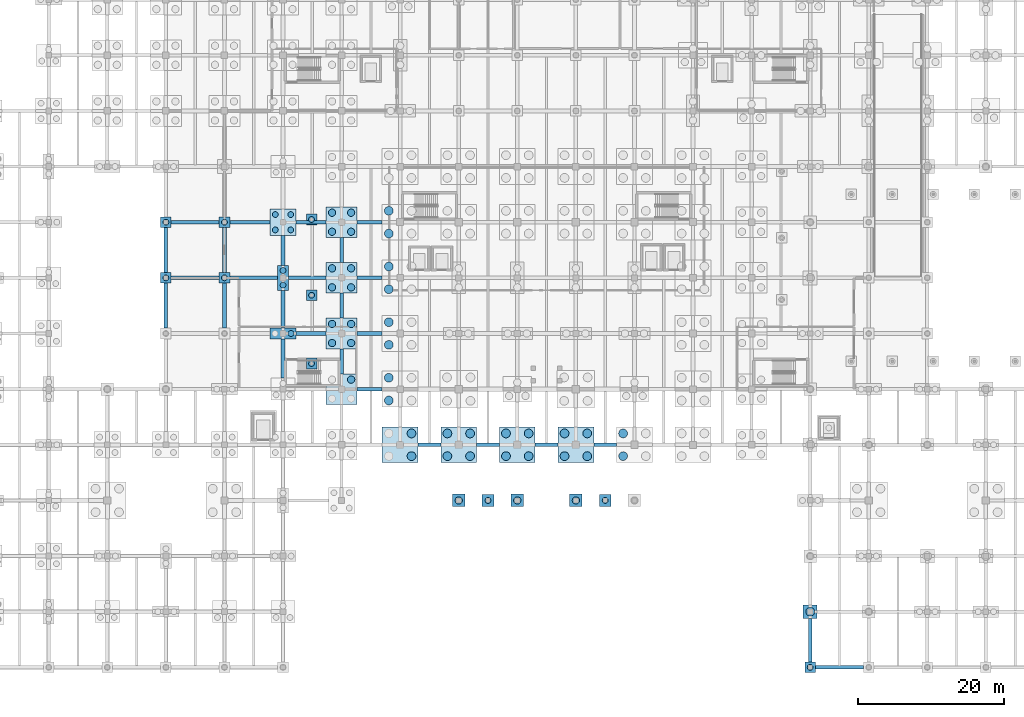
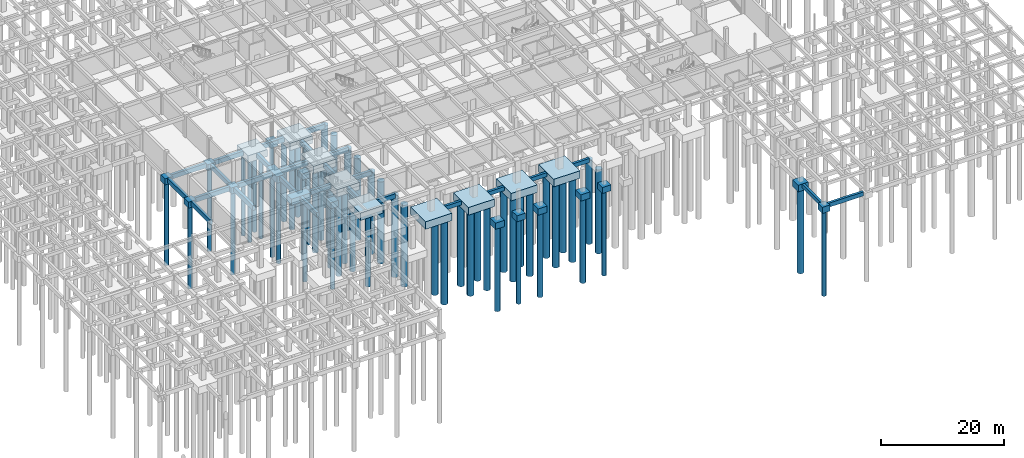
# One storey, part 4 of 49: 58 piles, 52 footings.
"""IFC4 building model written with IfcOpenShell, lengths in metres."""

from ifc_helpers import new_model, si_unit, direction, frame, origin, origin_2d, place, context, subcontext, project, spatial, rectangle, circle, extrude, material, layer, layer_set, material_profile, profile_set, type_object, element, save


model = new_model("IFC4")

# Units and contexts
model_context = context("Model", 3, precision=1e-05, world=origin(), true_north=direction((0.0, 1.0)))
body_context = subcontext(model_context, "Body", "Model", "MODEL_VIEW")
ifc_project = project(units=[si_unit("LENGTHUNIT", "METRE"), si_unit("AREAUNIT", "SQUARE_METRE"), si_unit("VOLUMEUNIT", "CUBIC_METRE"), si_unit("PLANEANGLEUNIT", "RADIAN"), si_unit("MASSUNIT", "GRAM", prefix="KILO")], contexts=[model_context])

# Site, building, storey
site_placement = place(None, origin())
site = spatial("IfcSite", under=ifc_project, at=site_placement, CompositionType="ELEMENT")
building_placement = place(site_placement, origin())
building = spatial("IfcBuilding", under=site, at=building_placement, Name="Zantavel Square City Hall", CompositionType="ELEMENT")
storey_placement = place(building_placement, frame((0.0, 0.0, -4.5)))
storey = spatial("IfcBuildingStorey", under=building, at=storey_placement, Name="B1", CompositionType="ELEMENT", Elevation=-4.5)

# Piles
ifc_material_1 = material(Name="Concrete C35/45", Category="concrete")
ifc_material_profile_1 = material_profile(ifc_material_1, circle(Radius=0.5, at=origin_2d()), Name="PILE D1000")
ifc_profile_set_1 = profile_set([ifc_material_profile_1], Name="Concrete C35/45")
pile_type_1 = type_object("IfcPileType", Name="Bored Pile D1000 Concrete C35/45", PredefinedType="BORED", material=ifc_profile_set_1)
for number, where, z_axis, x_axis, name in (
    (1, (57.300048828125, 39.300048828125, -1.800048828125), (0.0, 0.0, -1.0), (1.0, 0.0, 0.0), "Bored Pile FDN-PL-0560-0380-4"),
    (2, (54.699951171875, 44.300048828125, -1.800048828125), (0.0, 0.0, -1.0), (1.0, 0.0, 0.0), "Bored Pile FDN-PL-0560-0456-1"),
    (3, (57.300048828125, 44.300048828125, -1.800048828125), (0.0, 0.0, -1.0), (1.0, 0.0, 0.0), "Bored Pile FDN-PL-0560-0456-2"),
    (4, (54.699951171875, 46.89990234375, -1.800048828125), (0.0, 0.0, -1.0), (1.0, 0.0, 0.0), "Bored Pile FDN-PL-0560-0456-3"),
    (5, (57.300048828125, 46.89990234375, -1.800048828125), (0.0, 0.0, -1.0), (1.0, 0.0, 0.0), "Bored Pile FDN-PL-0560-0456-4"),
    (6, (54.699951171875, 51.89990234375, -1.800048828125), (0.0, 0.0, -1.0), (1.0, 0.0, 0.0), "Bored Pile FDN-PL-0560-0532-1"),
    (7, (57.300048828125, 51.89990234375, -1.800048828125), (0.0, 0.0, -1.0), (1.0, 0.0, 0.0), "Bored Pile FDN-PL-0560-0532-2"),
    (8, (54.699951171875, 54.5, -1.800048828125), (0.0, 0.0, -1.0), (1.0, 0.0, 0.0), "Bored Pile FDN-PL-0560-0532-3"),
    (9, (57.300048828125, 54.5, -1.800048828125), (0.0, 0.0, -1.0), (1.0, 0.0, 0.0), "Bored Pile FDN-PL-0560-0532-4"),
    (10, (54.699951171875, 59.5, -1.800048828125), (0.0, 0.0, -1.0), (1.0, 0.0, 0.0), "Bored Pile FDN-PL-0560-0608-1"),
    (11, (57.300048828125, 59.5, -1.800048828125), (0.0, 0.0, -1.0), (1.0, 0.0, 0.0), "Bored Pile FDN-PL-0560-0608-2"),
    (12, (54.699951171875, 62.10009765625, -1.800048828125), (0.0, 0.0, -1.0), (1.0, 0.0, 0.0), "Bored Pile FDN-PL-0560-0608-3"),
    (13, (57.300048828125, 62.10009765625, -1.800048828125), (0.0, 0.0, -1.0), (1.0, 0.0, 0.0), "Bored Pile FDN-PL-0560-0608-4"),
):
    element("IfcPile", number, at=place(storey_placement, frame(where, z_axis=z_axis, x_axis=x_axis)), inside=storey, type_object=pile_type_1, Name=name, PredefinedType="BORED", context=body_context, shape_type="SweptSolid", body=[
        extrude(circle(Radius=0.5, at=origin_2d()), origin(), (0.0, 0.0, 1.0), 16.199951171875),
    ])
for number, where, z_axis, x_axis, name in (
    (14, (72.0, 22.800048828125, -1.14990234375), (0.0, 0.0, -1.0), (1.0, 0.0, 0.0), "Canopy Bored Pile 72"),
    (15, (80.0, 22.800048828125, -1.14990234375), (0.0, 0.0, -1.0), (1.0, 0.0, 0.0), "Canopy Bored Pile 80"),
    (16, (88.0, 22.800048828125, -1.14990234375), (0.0, 0.0, -1.0), (1.0, 0.0, 0.0), "Canopy Bored Pile 88"),
):
    element("IfcPile", number, at=place(storey_placement, frame(where, z_axis=z_axis, x_axis=x_axis)), inside=storey, type_object=pile_type_1, Name=name, PredefinedType="BORED", context=body_context, shape_type="SweptSolid", body=[
        extrude(circle(Radius=0.5, at=origin_2d()), origin(), (0.0, 0.0, 1.0), 16.85009765625),
    ])
ifc_material_profile_2 = material_profile(ifc_material_1, circle(Radius=0.60009765625, at=origin_2d()), Name="PILE D1200")
ifc_profile_set_2 = profile_set([ifc_material_profile_2], Name="Concrete C35/45")
pile_type_2 = type_object("IfcPileType", Name="Bored Pile D1200 Concrete C35/45", PredefinedType="BORED", material=ifc_profile_set_2)
for number, where, z_axis, x_axis, name in (
    (17, (65.550048828125, 28.85009765625, -1.39990234375), (0.0, 0.0, -1.0), (1.0, 0.0, 0.0), "Bored Pile FDN-PL-0640-0304-2"),
    (18, (65.550048828125, 31.949951171875, -1.39990234375), (0.0, 0.0, -1.0), (1.0, 0.0, 0.0), "Bored Pile FDN-PL-0640-0304-4"),
):
    element("IfcPile", number, at=place(storey_placement, frame(where, z_axis=z_axis, x_axis=x_axis)), inside=storey, type_object=pile_type_2, Name=name, PredefinedType="BORED", context=body_context, shape_type="SweptSolid", body=[
        extrude(circle(Radius=0.60009765625, at=origin_2d()), origin(), (0.0, 0.0, 1.0), 16.60009765625),
    ])
for number, where, z_axis, x_axis, name in (
    (19, (62.449951171875, 36.449951171875, -1.800048828125), (0.0, 0.0, -1.0), (1.0, 0.0, 0.0), "Bored Pile FDN-PL-0640-0380-1"),
    (20, (62.449951171875, 39.550048828125, -1.800048828125), (0.0, 0.0, -1.0), (1.0, 0.0, 0.0), "Bored Pile FDN-PL-0640-0380-3"),
    (21, (62.449951171875, 44.050048828125, -1.800048828125), (0.0, 0.0, -1.0), (1.0, 0.0, 0.0), "Bored Pile FDN-PL-0640-0456-1"),
    (22, (62.449951171875, 47.14990234375, -1.800048828125), (0.0, 0.0, -1.0), (1.0, 0.0, 0.0), "Bored Pile FDN-PL-0640-0456-3"),
    (23, (62.449951171875, 51.64990234375, -1.800048828125), (0.0, 0.0, -1.0), (1.0, 0.0, 0.0), "Bored Pile FDN-PL-0640-0532-1"),
    (24, (62.449951171875, 54.75, -1.800048828125), (0.0, 0.0, -1.0), (1.0, 0.0, 0.0), "Bored Pile FDN-PL-0640-0532-3"),
    (25, (62.449951171875, 59.25, -1.800048828125), (0.0, 0.0, -1.0), (1.0, 0.0, 0.0), "Bored Pile FDN-PL-0640-0608-1"),
    (26, (62.449951171875, 62.35009765625, -1.800048828125), (0.0, 0.0, -1.0), (1.0, 0.0, 0.0), "Bored Pile FDN-PL-0640-0608-3"),
):
    element("IfcPile", number, at=place(storey_placement, frame(where, z_axis=z_axis, x_axis=x_axis)), inside=storey, type_object=pile_type_2, Name=name, PredefinedType="BORED", context=body_context, shape_type="SweptSolid", body=[
        extrude(circle(Radius=0.60009765625, at=origin_2d()), origin(), (0.0, 0.0, 1.0), 16.199951171875),
    ])
for number, where, z_axis, x_axis, name in (
    (27, (70.449951171875, 28.85009765625, -1.39990234375), (0.0, 0.0, -1.0), (1.0, 0.0, 0.0), "Bored Pile FDN-PL-0720-0304-1"),
    (28, (73.550048828125, 28.85009765625, -1.39990234375), (0.0, 0.0, -1.0), (1.0, 0.0, 0.0), "Bored Pile FDN-PL-0720-0304-2"),
    (29, (70.449951171875, 31.949951171875, -1.39990234375), (0.0, 0.0, -1.0), (1.0, 0.0, 0.0), "Bored Pile FDN-PL-0720-0304-3"),
    (30, (73.550048828125, 31.949951171875, -1.39990234375), (0.0, 0.0, -1.0), (1.0, 0.0, 0.0), "Bored Pile FDN-PL-0720-0304-4"),
    (31, (78.449951171875, 28.85009765625, -1.39990234375), (0.0, 0.0, -1.0), (1.0, 0.0, 0.0), "Bored Pile FDN-PL-0800-0304-1"),
    (32, (81.550048828125, 28.85009765625, -1.39990234375), (0.0, 0.0, -1.0), (1.0, 0.0, 0.0), "Bored Pile FDN-PL-0800-0304-2"),
    (33, (78.449951171875, 31.949951171875, -1.39990234375), (0.0, 0.0, -1.0), (1.0, 0.0, 0.0), "Bored Pile FDN-PL-0800-0304-3"),
    (34, (81.550048828125, 31.949951171875, -1.39990234375), (0.0, 0.0, -1.0), (1.0, 0.0, 0.0), "Bored Pile FDN-PL-0800-0304-4"),
    (35, (86.449951171875, 28.85009765625, -1.39990234375), (0.0, 0.0, -1.0), (1.0, 0.0, 0.0), "Bored Pile FDN-PL-0880-0304-1"),
    (36, (89.550048828125, 28.85009765625, -1.39990234375), (0.0, 0.0, -1.0), (1.0, 0.0, 0.0), "Bored Pile FDN-PL-0880-0304-2"),
    (37, (86.449951171875, 31.949951171875, -1.39990234375), (0.0, 0.0, -1.0), (1.0, 0.0, 0.0), "Bored Pile FDN-PL-0880-0304-3"),
    (38, (89.550048828125, 31.949951171875, -1.39990234375), (0.0, 0.0, -1.0), (1.0, 0.0, 0.0), "Bored Pile FDN-PL-0880-0304-4"),
    (39, (94.449951171875, 28.85009765625, -1.39990234375), (0.0, 0.0, -1.0), (1.0, 0.0, 0.0), "Bored Pile FDN-PL-0960-0304-1"),
    (40, (94.449951171875, 31.949951171875, -1.39990234375), (0.0, 0.0, -1.0), (1.0, 0.0, 0.0), "Bored Pile FDN-PL-0960-0304-3"),
):
    element("IfcPile", number, at=place(storey_placement, frame(where, z_axis=z_axis, x_axis=x_axis)), inside=storey, type_object=pile_type_2, Name=name, PredefinedType="BORED", context=body_context, shape_type="SweptSolid", body=[
        extrude(circle(Radius=0.60009765625, at=origin_2d()), origin(), (0.0, 0.0, 1.0), 16.60009765625),
    ])
pile_1_placement = place(storey_placement, frame((120.0, 7.60009765625, -1.199951171875), z_axis=(0.0, 0.0, -1.0), x_axis=(1.0, 0.0, 0.0)))
element("IfcPile", 41, at=pile_1_placement, inside=storey, type_object=pile_type_2, Name="Bored Pile FDN-PL-1200-0076-1", PredefinedType="BORED", context=body_context, shape_type="SweptSolid", body=[
    extrude(circle(Radius=0.60009765625, at=origin_2d()), origin(), (0.0, 0.0, 1.0), 16.800048828125),
])
ifc_material_profile_3 = material_profile(ifc_material_1, circle(Radius=0.39990234375, at=origin_2d()), Name="PILE D800")
ifc_profile_set_3 = profile_set([ifc_material_profile_3], Name="Concrete C35/45")
pile_type_3 = type_object("IfcPileType", Name="Bored Pile D800 Concrete C35/45", PredefinedType="BORED", material=ifc_profile_set_3)
for number, where, z_axis, x_axis, name in (
    (42, (32.0, 53.199951171875, -1.5), (0.0, 0.0, -1.0), (1.0, 0.0, 0.0), "Bored Pile FDN-PL-0320-0532-1"),
    (43, (32.0, 60.800048828125, -1.5), (0.0, 0.0, -1.0), (1.0, 0.0, 0.0), "Bored Pile FDN-PL-0320-0608-1"),
    (44, (40.0, 53.199951171875, -1.5), (0.0, 0.0, -1.0), (1.0, 0.0, 0.0), "Bored Pile FDN-PL-0400-0532-1"),
    (45, (40.0, 60.800048828125, -1.5), (0.0, 0.0, -1.0), (1.0, 0.0, 0.0), "Bored Pile FDN-PL-0400-0608-1"),
):
    element("IfcPile", number, at=place(storey_placement, frame(where, z_axis=z_axis, x_axis=x_axis)), inside=storey, type_object=pile_type_3, Name=name, PredefinedType="BORED", context=body_context, shape_type="SweptSolid", body=[
        extrude(circle(Radius=0.39990234375, at=origin_2d()), origin(), (0.0, 0.0, 1.0), 16.5),
    ])
for number, where, z_axis, x_axis, name in (
    (46, (49.10009765625, 45.60009765625, -1.60009765625), (0.0, 0.0, -1.0), (1.0, 0.0, 0.0), "Bored Pile FDN-PL-0480-0456-2"),
    (47, (48.0, 52.199951171875, -1.60009765625), (0.0, 0.0, -1.0), (1.0, 0.0, 0.0), "Bored Pile FDN-PL-0480-0532-1"),
    (48, (48.0, 54.199951171875, -1.60009765625), (0.0, 0.0, -1.0), (1.0, 0.0, 0.0), "Bored Pile FDN-PL-0480-0532-2"),
):
    element("IfcPile", number, at=place(storey_placement, frame(where, z_axis=z_axis, x_axis=x_axis)), inside=storey, type_object=pile_type_3, Name=name, PredefinedType="BORED", context=body_context, shape_type="SweptSolid", body=[
        extrude(circle(Radius=0.39990234375, at=origin_2d()), origin(), (0.0, 0.0, 1.0), 16.39990234375),
    ])
for number, where, z_axis, x_axis, name in (
    (49, (46.949951171875, 59.75, -1.699951171875), (0.0, 0.0, -1.0), (1.0, 0.0, 0.0), "Bored Pile FDN-PL-0480-0608-1"),
    (50, (49.050048828125, 59.75, -1.699951171875), (0.0, 0.0, -1.0), (1.0, 0.0, 0.0), "Bored Pile FDN-PL-0480-0608-2"),
    (51, (46.949951171875, 61.85009765625, -1.699951171875), (0.0, 0.0, -1.0), (1.0, 0.0, 0.0), "Bored Pile FDN-PL-0480-0608-3"),
    (52, (49.050048828125, 61.85009765625, -1.699951171875), (0.0, 0.0, -1.0), (1.0, 0.0, 0.0), "Bored Pile FDN-PL-0480-0608-4"),
):
    element("IfcPile", number, at=place(storey_placement, frame(where, z_axis=z_axis, x_axis=x_axis)), inside=storey, type_object=pile_type_3, Name=name, PredefinedType="BORED", context=body_context, shape_type="SweptSolid", body=[
        extrude(circle(Radius=0.39990234375, at=origin_2d()), origin(), (0.0, 0.0, 1.0), 16.300048828125),
    ])
pile_2_placement = place(storey_placement, frame((120.0, 0.0, -1.10009765625), z_axis=(0.0, 0.0, -1.0), x_axis=(1.0, 0.0, 0.0)))
element("IfcPile", 53, at=pile_2_placement, inside=storey, type_object=pile_type_3, Name="Bored Pile FDN-PL-1200-0000-1", PredefinedType="BORED", context=body_context, shape_type="SweptSolid", body=[
    extrude(circle(Radius=0.39990234375, at=origin_2d()), origin(), (0.0, 0.0, 1.0), 16.89990234375),
])
for number, where, z_axis, x_axis, name in (
    (54, (51.89990234375, 41.5, -1.5), (0.0, 0.0, -1.0), (1.0, 0.0, 0.0), "Terrace Stair Loggia Bored Pile 4"),
    (55, (51.89990234375, 50.8349609375, -1.5), (0.0, 0.0, -1.0), (1.0, 0.0, 0.0), "Terrace Stair Loggia Bored Pile 5"),
    (56, (51.89990234375, 61.169921875, -1.5), (0.0, 0.0, -1.0), (1.0, 0.0, 0.0), "Terrace Stair Loggia Bored Pile 6"),
):
    element("IfcPile", number, at=place(storey_placement, frame(where, z_axis=z_axis, x_axis=x_axis)), inside=storey, type_object=pile_type_3, Name=name, PredefinedType="BORED", context=body_context, shape_type="SweptSolid", body=[
        extrude(circle(Radius=0.39990234375, at=origin_2d()), origin(), (0.0, 0.0, 1.0), 16.5),
    ])
for number, where, z_axis, x_axis, name in (
    (57, (76.0, 22.800048828125, -1.10009765625), (0.0, 0.0, -1.0), (1.0, 0.0, 0.0), "Portico Canopy Bored Pile 76"),
    (58, (92.0, 22.800048828125, -1.10009765625), (0.0, 0.0, -1.0), (1.0, 0.0, 0.0), "Portico Canopy Bored Pile 92"),
):
    element("IfcPile", number, at=place(storey_placement, frame(where, z_axis=z_axis, x_axis=x_axis)), inside=storey, type_object=pile_type_3, Name=name, PredefinedType="BORED", context=body_context, shape_type="SweptSolid", body=[
        extrude(circle(Radius=0.39990234375, at=origin_2d()), origin(), (0.0, 0.0, 1.0), 16.89990234375),
    ])

# Footings
ifc_material_profile_4 = material_profile(ifc_material_1, rectangle(XDim=0.449951171875, YDim=0.800048828125, at=origin_2d()), Name="RC 450x800")
ifc_profile_set_4 = profile_set([ifc_material_profile_4], Name="Concrete C35/45")
footing_type_1 = type_object("IfcFootingType", Name="Courtyard Grade Tie Beam 450x800 C35/45", PredefinedType="FOOTING_BEAM", material=ifc_profile_set_4)
for number, where, z_axis, x_axis, name in (
    (59, (66.449951171875, 30.39990234375, -0.39990234375), (1.0, 0.0, 0.0), (0.0, 1.0, 0.0), "Grade Tie Beam FDN-GTBX-0640-0304"),
    (60, (74.449951171875, 30.39990234375, -0.39990234375), (1.0, 0.0, 0.0), (0.0, 1.0, 0.0), "Grade Tie Beam FDN-GTBX-0720-0304"),
    (61, (82.449951171875, 30.39990234375, -0.39990234375), (1.0, 0.0, 0.0), (0.0, 1.0, 0.0), "Grade Tie Beam FDN-GTBX-0800-0304"),
    (62, (90.449951171875, 30.39990234375, -0.39990234375), (1.0, 0.0, 0.0), (0.0, 1.0, 0.0), "Grade Tie Beam FDN-GTBX-0880-0304"),
):
    element("IfcFooting", number, at=place(storey_placement, frame(where, z_axis=z_axis, x_axis=x_axis)), inside=storey, type_object=footing_type_1, Name=name, PredefinedType="FOOTING_BEAM", context=body_context, shape_type="SweptSolid", body=[
        extrude(rectangle(XDim=0.449951171875, YDim=0.800048828125, at=origin_2d()), origin(), (0.0, 0.0, 1.0), 3.10009765625),
    ])
footing_1_placement = place(storey_placement, frame((120.72509765625, 0.0, -0.39990234375), z_axis=(1.0, 0.0, 0.0), x_axis=(0.0, 1.0, 0.0)))
element("IfcFooting", 63, at=footing_1_placement, inside=storey, type_object=footing_type_1, Name="Grade Tie Beam FDN-GTBX-1200-0000", PredefinedType="FOOTING_BEAM", context=body_context, shape_type="SweptSolid", body=[
    extrude(rectangle(XDim=0.449951171875, YDim=0.800048828125, at=origin_2d()), origin(), (0.0, 0.0, 1.0), 6.5498046875),
])
footing_2_placement = place(storey_placement, frame((120.0, 0.72509765625, -0.39990234375), z_axis=(0.0, 1.0, 0.0), x_axis=(-1.0, 0.0, 0.0)))
element("IfcFooting", 64, at=footing_2_placement, inside=storey, type_object=footing_type_1, Name="Grade Tie Beam FDN-GTBY-1200-0000", PredefinedType="FOOTING_BEAM", context=body_context, shape_type="SweptSolid", body=[
    extrude(rectangle(XDim=0.449951171875, YDim=0.800048828125, at=origin_2d()), origin(), (0.0, 0.0, 1.0), 5.9248046875),
])
ifc_material_profile_5 = material_profile(ifc_material_1, rectangle(XDim=0.5, YDim=0.89990234375, at=origin_2d()), Name="RC 500x900")
ifc_profile_set_5 = profile_set([ifc_material_profile_5], Name="Concrete C35/45")
footing_type_2 = type_object("IfcFootingType", Name="Grade Tie Beam 500x900 Concrete C35/45", PredefinedType="FOOTING_BEAM", material=ifc_profile_set_5)
footing_3_placement = place(storey_placement, frame((32.0, 46.324951171875, -0.85009765625), z_axis=(0.0, 1.0, 0.0), x_axis=(-1.0, 0.0, 0.0)))
element("IfcFooting", 65, at=footing_3_placement, inside=storey, type_object=footing_type_2, Name="Grade Tie Beam FDN-GTBY-0320-0456", PredefinedType="FOOTING_BEAM", context=body_context, shape_type="SweptSolid", body=[
    extrude(rectangle(XDim=0.5, YDim=0.89990234375, at=origin_2d()), origin(), (0.0, 0.0, 1.0), 6.150146484375),
])
footing_4_placement = place(storey_placement, frame((32.72509765625, 53.199951171875, -0.85009765625), z_axis=(1.0, 0.0, 0.0), x_axis=(0.0, 1.0, 0.0)))
element("IfcFooting", 66, at=footing_4_placement, inside=storey, type_object=footing_type_2, Name="Grade Tie Beam FDN-GTBX-0320-0532", PredefinedType="FOOTING_BEAM", context=body_context, shape_type="SweptSolid", body=[
    extrude(rectangle(XDim=0.5, YDim=0.89990234375, at=origin_2d()), origin(), (0.0, 0.0, 1.0), 6.5498046875),
])
footing_5_placement = place(storey_placement, frame((32.0, 53.925048828125, -0.85009765625), z_axis=(0.0, 1.0, 0.0), x_axis=(-1.0, 0.0, 0.0)))
element("IfcFooting", 67, at=footing_5_placement, inside=storey, type_object=footing_type_2, Name="Grade Tie Beam FDN-GTBY-0320-0532", PredefinedType="FOOTING_BEAM", context=body_context, shape_type="SweptSolid", body=[
    extrude(rectangle(XDim=0.5, YDim=0.89990234375, at=origin_2d()), origin(), (0.0, 0.0, 1.0), 6.14990234375),
])
footing_6_placement = place(storey_placement, frame((32.72509765625, 60.800048828125, -0.85009765625), z_axis=(1.0, 0.0, 0.0), x_axis=(0.0, 1.0, 0.0)))
element("IfcFooting", 68, at=footing_6_placement, inside=storey, type_object=footing_type_2, Name="Grade Tie Beam FDN-GTBX-0320-0608", PredefinedType="FOOTING_BEAM", context=body_context, shape_type="SweptSolid", body=[
    extrude(rectangle(XDim=0.5, YDim=0.89990234375, at=origin_2d()), origin(), (0.0, 0.0, 1.0), 6.5498046875),
])
footing_7_placement = place(storey_placement, frame((40.0, 46.324951171875, -0.85009765625), z_axis=(0.0, 1.0, 0.0), x_axis=(-1.0, 0.0, 0.0)))
element("IfcFooting", 69, at=footing_7_placement, inside=storey, type_object=footing_type_2, Name="Grade Tie Beam FDN-GTBY-0400-0456", PredefinedType="FOOTING_BEAM", context=body_context, shape_type="SweptSolid", body=[
    extrude(rectangle(XDim=0.5, YDim=0.89990234375, at=origin_2d()), origin(), (0.0, 0.0, 1.0), 6.150146484375),
])
footing_8_placement = place(storey_placement, frame((40.72509765625, 53.199951171875, -0.85009765625), z_axis=(1.0, 0.0, 0.0), x_axis=(0.0, 1.0, 0.0)))
element("IfcFooting", 70, at=footing_8_placement, inside=storey, type_object=footing_type_2, Name="Grade Tie Beam FDN-GTBX-0400-0532", PredefinedType="FOOTING_BEAM", context=body_context, shape_type="SweptSolid", body=[
    extrude(rectangle(XDim=0.5, YDim=0.89990234375, at=origin_2d()), origin(), (0.0, 0.0, 1.0), 6.52490234375),
])
footing_9_placement = place(storey_placement, frame((40.0, 53.925048828125, -0.85009765625), z_axis=(0.0, 1.0, 0.0), x_axis=(-1.0, 0.0, 0.0)))
element("IfcFooting", 71, at=footing_9_placement, inside=storey, type_object=footing_type_2, Name="Grade Tie Beam FDN-GTBY-0400-0532", PredefinedType="FOOTING_BEAM", context=body_context, shape_type="SweptSolid", body=[
    extrude(rectangle(XDim=0.5, YDim=0.89990234375, at=origin_2d()), origin(), (0.0, 0.0, 1.0), 6.14990234375),
])
footing_10_placement = place(storey_placement, frame((40.72509765625, 60.800048828125, -0.85009765625), z_axis=(1.0, 0.0, 0.0), x_axis=(0.0, 1.0, 0.0)))
element("IfcFooting", 72, at=footing_10_placement, inside=storey, type_object=footing_type_2, Name="Grade Tie Beam FDN-GTBX-0400-0608", PredefinedType="FOOTING_BEAM", context=body_context, shape_type="SweptSolid", body=[
    extrude(rectangle(XDim=0.5, YDim=0.89990234375, at=origin_2d()), origin(), (0.0, 0.0, 1.0), 5.474853515625),
])
footing_11_placement = place(storey_placement, frame((48.0, 39.5, -0.85009765625), z_axis=(0.0, 1.0, 0.0), x_axis=(-1.0, 0.0, 0.0)))
element("IfcFooting", 73, at=footing_11_placement, inside=storey, type_object=footing_type_2, Name="Grade Tie Beam FDN-GTBY-0480-0380", PredefinedType="FOOTING_BEAM", context=body_context, shape_type="SweptSolid", body=[
    extrude(rectangle(XDim=0.5, YDim=0.89990234375, at=origin_2d()), origin(), (0.0, 0.0, 1.0), 5.35009765625),
])
footing_12_placement = place(storey_placement, frame((49.800048828125, 45.60009765625, -0.85009765625), z_axis=(1.0, 0.0, 0.0), x_axis=(0.0, 1.0, 0.0)))
element("IfcFooting", 74, at=footing_12_placement, inside=storey, type_object=footing_type_2, Name="Grade Tie Beam FDN-GTBX-0480-0456", PredefinedType="FOOTING_BEAM", context=body_context, shape_type="SweptSolid", body=[
    extrude(rectangle(XDim=0.5, YDim=0.89990234375, at=origin_2d()), origin(), (0.0, 0.0, 1.0), 4.099853515625),
])
for number, where, z_axis, x_axis, name in (
    (75, (48.0, 46.35009765625, -0.85009765625), (0.0, 1.0, 0.0), (-1.0, 0.0, 0.0), "Grade Tie Beam FDN-GTBY-0480-0456"),
    (76, (48.75, 53.199951171875, -0.85009765625), (1.0, 0.0, 0.0), (0.0, 1.0, 0.0), "Grade Tie Beam FDN-GTBX-0480-0532"),
):
    element("IfcFooting", number, at=place(storey_placement, frame(where, z_axis=z_axis, x_axis=x_axis)), inside=storey, type_object=footing_type_2, Name=name, PredefinedType="FOOTING_BEAM", context=body_context, shape_type="SweptSolid", body=[
        extrude(rectangle(XDim=0.5, YDim=0.89990234375, at=origin_2d()), origin(), (0.0, 0.0, 1.0), 5.14990234375),
    ])
footing_13_placement = place(storey_placement, frame((48.0, 54.89990234375, -0.85009765625), z_axis=(0.0, 1.0, 0.0), x_axis=(-1.0, 0.0, 0.0)))
element("IfcFooting", 77, at=footing_13_placement, inside=storey, type_object=footing_type_2, Name="Grade Tie Beam FDN-GTBY-0480-0532", PredefinedType="FOOTING_BEAM", context=body_context, shape_type="SweptSolid", body=[
    extrude(rectangle(XDim=0.5, YDim=0.89990234375, at=origin_2d()), origin(), (0.0, 0.0, 1.0), 4.10009765625),
])
footing_14_placement = place(storey_placement, frame((49.800048828125, 60.800048828125, -0.85009765625), z_axis=(1.0, 0.0, 0.0), x_axis=(0.0, 1.0, 0.0)))
element("IfcFooting", 78, at=footing_14_placement, inside=storey, type_object=footing_type_2, Name="Grade Tie Beam FDN-GTBX-0480-0608", PredefinedType="FOOTING_BEAM", context=body_context, shape_type="SweptSolid", body=[
    extrude(rectangle(XDim=0.5, YDim=0.89990234375, at=origin_2d()), origin(), (0.0, 0.0, 1.0), 4.099853515625),
])
footing_15_placement = place(storey_placement, frame((58.10009765625, 38.0, -0.85009765625), z_axis=(1.0, 0.0, 0.0), x_axis=(0.0, 1.0, 0.0)))
element("IfcFooting", 79, at=footing_15_placement, inside=storey, type_object=footing_type_2, Name="Grade Tie Beam FDN-GTBX-0560-0380", PredefinedType="FOOTING_BEAM", context=body_context, shape_type="SweptSolid", body=[
    extrude(rectangle(XDim=0.5, YDim=0.89990234375, at=origin_2d()), origin(), (0.0, 0.0, 1.0), 3.449951171875),
])
footing_16_placement = place(storey_placement, frame((56.0, 40.10009765625, -0.85009765625), z_axis=(0.0, 1.0, 0.0), x_axis=(-1.0, 0.0, 0.0)))
element("IfcFooting", 80, at=footing_16_placement, inside=storey, type_object=footing_type_2, Name="Grade Tie Beam FDN-GTBY-0560-0380", PredefinedType="FOOTING_BEAM", context=body_context, shape_type="SweptSolid", body=[
    extrude(rectangle(XDim=0.5, YDim=0.89990234375, at=origin_2d()), origin(), (0.0, 0.0, 1.0), 3.39990234375),
])
footing_17_placement = place(storey_placement, frame((58.10009765625, 45.60009765625, -0.85009765625), z_axis=(1.0, 0.0, 0.0), x_axis=(0.0, 1.0, 0.0)))
element("IfcFooting", 81, at=footing_17_placement, inside=storey, type_object=footing_type_2, Name="Grade Tie Beam FDN-GTBX-0560-0456", PredefinedType="FOOTING_BEAM", context=body_context, shape_type="SweptSolid", body=[
    extrude(rectangle(XDim=0.5, YDim=0.89990234375, at=origin_2d()), origin(), (0.0, 0.0, 1.0), 3.449951171875),
])
footing_18_placement = place(storey_placement, frame((56.0, 47.699951171875, -0.85009765625), z_axis=(0.0, 1.0, 0.0), x_axis=(-1.0, 0.0, 0.0)))
element("IfcFooting", 82, at=footing_18_placement, inside=storey, type_object=footing_type_2, Name="Grade Tie Beam FDN-GTBY-0560-0456", PredefinedType="FOOTING_BEAM", context=body_context, shape_type="SweptSolid", body=[
    extrude(rectangle(XDim=0.5, YDim=0.89990234375, at=origin_2d()), origin(), (0.0, 0.0, 1.0), 3.400146484375),
])
footing_19_placement = place(storey_placement, frame((58.10009765625, 53.199951171875, -0.85009765625), z_axis=(1.0, 0.0, 0.0), x_axis=(0.0, 1.0, 0.0)))
element("IfcFooting", 83, at=footing_19_placement, inside=storey, type_object=footing_type_2, Name="Grade Tie Beam FDN-GTBX-0560-0532", PredefinedType="FOOTING_BEAM", context=body_context, shape_type="SweptSolid", body=[
    extrude(rectangle(XDim=0.5, YDim=0.89990234375, at=origin_2d()), origin(), (0.0, 0.0, 1.0), 3.449951171875),
])
footing_20_placement = place(storey_placement, frame((56.0, 55.300048828125, -0.85009765625), z_axis=(0.0, 1.0, 0.0), x_axis=(-1.0, 0.0, 0.0)))
element("IfcFooting", 84, at=footing_20_placement, inside=storey, type_object=footing_type_2, Name="Grade Tie Beam FDN-GTBY-0560-0532", PredefinedType="FOOTING_BEAM", context=body_context, shape_type="SweptSolid", body=[
    extrude(rectangle(XDim=0.5, YDim=0.89990234375, at=origin_2d()), origin(), (0.0, 0.0, 1.0), 3.39990234375),
])
footing_21_placement = place(storey_placement, frame((58.10009765625, 60.800048828125, -0.85009765625), z_axis=(1.0, 0.0, 0.0), x_axis=(0.0, 1.0, 0.0)))
element("IfcFooting", 85, at=footing_21_placement, inside=storey, type_object=footing_type_2, Name="Grade Tie Beam FDN-GTBX-0560-0608", PredefinedType="FOOTING_BEAM", context=body_context, shape_type="SweptSolid", body=[
    extrude(rectangle(XDim=0.5, YDim=0.89990234375, at=origin_2d()), origin(), (0.0, 0.0, 1.0), 3.449951171875),
])
ifc_material_2 = material(Name="Concrete C40/50", Category="concrete")
ifc_layer_1 = layer(ifc_material_2, 1.25, Name="Concrete C40/50")
ifc_layer_set_1 = layer_set([ifc_layer_1], Name="Concrete C40/50")
footing_type_3 = type_object("IfcFootingType", Name="Pile Cap 1P-D1000 1700x1700x1250", PredefinedType="PILE_CAP", material=ifc_layer_set_1)
for number, where, z_axis, x_axis, name in (
    (86, (72.0, 22.800048828125, -1.25), (0.0, 0.0, 1.0), (1.0, 0.0, 0.0), "Canopy Pile Cap FDN-PCCAN-0720"),
    (87, (80.0, 22.800048828125, -1.25), (0.0, 0.0, 1.0), (1.0, 0.0, 0.0), "Canopy Pile Cap FDN-PCCAN-0800"),
    (88, (88.0, 22.800048828125, -1.25), (0.0, 0.0, 1.0), (1.0, 0.0, 0.0), "Canopy Pile Cap FDN-PCCAN-0880"),
):
    element("IfcFooting", number, at=place(storey_placement, frame(where, z_axis=z_axis, x_axis=x_axis)), inside=storey, type_object=footing_type_3, Name=name, PredefinedType="PILE_CAP", context=body_context, shape_type="SweptSolid", body=[
        extrude(rectangle(XDim=1.699951171875, YDim=1.699951171875, at=origin_2d()), origin(), (0.0, 0.0, 1.0), 1.25),
    ])
ifc_layer_2 = layer(ifc_material_2, 1.300048828125, Name="Concrete C40/50")
ifc_layer_set_2 = layer_set([ifc_layer_2], Name="Concrete C40/50")
footing_type_4 = type_object("IfcFootingType", Name="Pile Cap 1P-D1200 1900x1900x1300", PredefinedType="PILE_CAP", material=ifc_layer_set_2)
footing_22_placement = place(storey_placement, frame((120.0, 7.60009765625, -1.2998046875), z_axis=(0.0, 0.0, 1.0), x_axis=(1.0, 0.0, 0.0)))
element("IfcFooting", 89, at=footing_22_placement, inside=storey, type_object=footing_type_4, Name="Pile Cap FDN-PC-1200-0076", PredefinedType="PILE_CAP", context=body_context, shape_type="SweptSolid", body=[
    extrude(rectangle(XDim=1.89990234375, YDim=1.89990234375, at=origin_2d()), origin(), (0.0, 0.0, 1.0), 1.300048828125),
])
ifc_layer_3 = layer(ifc_material_2, 1.199951171875, Name="Concrete C40/50")
ifc_layer_set_3 = layer_set([ifc_layer_3], Name="Concrete C40/50")
footing_type_5 = type_object("IfcFootingType", Name="Pile Cap 1P-D800 1450x1450x1200", PredefinedType="PILE_CAP", material=ifc_layer_set_3)
for number, where, z_axis, x_axis, name in (
    (90, (32.0, 53.199951171875, -1.60009765625), (0.0, 0.0, 1.0), (1.0, 0.0, 0.0), "Pile Cap FDN-PC-0320-0532"),
    (91, (32.0, 60.800048828125, -1.60009765625), (0.0, 0.0, 1.0), (1.0, 0.0, 0.0), "Pile Cap FDN-PC-0320-0608"),
    (92, (40.0, 53.199951171875, -1.60009765625), (0.0, 0.0, 1.0), (1.0, 0.0, 0.0), "Pile Cap FDN-PC-0400-0532"),
    (93, (40.0, 60.800048828125, -1.60009765625), (0.0, 0.0, 1.0), (1.0, 0.0, 0.0), "Pile Cap FDN-PC-0400-0608"),
    (94, (120.0, 0.0, -1.2001953125), (0.0, 0.0, 1.0), (1.0, 0.0, 0.0), "Pile Cap FDN-PC-1200-0000"),
    (95, (51.89990234375, 41.5, -1.60009765625), (0.0, 0.0, 1.0), (1.0, 0.0, 0.0), "Terrace Stair Loggia Pile Cap 4"),
    (96, (51.89990234375, 50.8349609375, -1.60009765625), (0.0, 0.0, 1.0), (1.0, 0.0, 0.0), "Terrace Stair Loggia Pile Cap 5"),
    (97, (51.89990234375, 61.169921875, -1.60009765625), (0.0, 0.0, 1.0), (1.0, 0.0, 0.0), "Terrace Stair Loggia Pile Cap 6"),
):
    element("IfcFooting", number, at=place(storey_placement, frame(where, z_axis=z_axis, x_axis=x_axis)), inside=storey, type_object=footing_type_5, Name=name, PredefinedType="PILE_CAP", context=body_context, shape_type="SweptSolid", body=[
        extrude(rectangle(XDim=1.449951171875, YDim=1.449951171875, at=origin_2d()), origin(), (0.0, 0.0, 1.0), 1.199951171875),
    ])
ifc_layer_4 = layer(ifc_material_2, 1.199951171875, Name="Concrete C40/50")
ifc_layer_set_4 = layer_set([ifc_layer_4], Name="Concrete C40/50")
footing_type_6 = type_object("IfcFootingType", Name="Pile Cap 1P-D900P 1600x1600x1200", PredefinedType="PILE_CAP", material=ifc_layer_set_4)
for number, where, z_axis, x_axis, name in (
    (98, (76.0, 22.800048828125, -1.2001953125), (0.0, 0.0, 1.0), (1.0, 0.0, 0.0), "Portico Canopy Pile Cap 76"),
    (99, (92.0, 22.800048828125, -1.2001953125), (0.0, 0.0, 1.0), (1.0, 0.0, 0.0), "Portico Canopy Pile Cap 92"),
):
    element("IfcFooting", number, at=place(storey_placement, frame(where, z_axis=z_axis, x_axis=x_axis)), inside=storey, type_object=footing_type_6, Name=name, PredefinedType="PILE_CAP", context=body_context, shape_type="SweptSolid", body=[
        extrude(rectangle(XDim=1.60009765625, YDim=1.60009765625, at=origin_2d()), origin(), (0.0, 0.0, 1.0), 1.199951171875),
    ])
ifc_layer_5 = layer(ifc_material_2, 1.300048828125, Name="Concrete C40/50")
ifc_layer_set_5 = layer_set([ifc_layer_5], Name="Concrete C40/50")
footing_type_7 = type_object("IfcFootingType", Name="Pile Cap 2P-D800X 3600x1500x1300", PredefinedType="PILE_CAP", material=ifc_layer_set_5)
footing_23_placement = place(storey_placement, frame((48.0, 45.60009765625, -1.7001953125), z_axis=(0.0, 0.0, 1.0), x_axis=(1.0, 0.0, 0.0)))
element("IfcFooting", 100, at=footing_23_placement, inside=storey, type_object=footing_type_7, Name="Pile Cap FDN-PC-0480-0456", PredefinedType="PILE_CAP", context=body_context, shape_type="SweptSolid", body=[
    extrude(rectangle(XDim=3.60009765625, YDim=1.5, at=origin_2d()), origin(), (0.0, 0.0, 1.0), 1.300048828125),
])
ifc_layer_6 = layer(ifc_material_2, 1.300048828125, Name="Concrete C40/50")
ifc_layer_set_6 = layer_set([ifc_layer_6], Name="Concrete C40/50")
footing_type_8 = type_object("IfcFootingType", Name="Pile Cap 2P-D800Y 1500x3400x1300", PredefinedType="PILE_CAP", material=ifc_layer_set_6)
footing_24_placement = place(storey_placement, frame((48.0, 53.199951171875, -1.7001953125), z_axis=(0.0, 0.0, 1.0), x_axis=(1.0, 0.0, 0.0)))
element("IfcFooting", 101, at=footing_24_placement, inside=storey, type_object=footing_type_8, Name="Pile Cap FDN-PC-0480-0532", PredefinedType="PILE_CAP", context=body_context, shape_type="SweptSolid", body=[
    extrude(rectangle(XDim=1.5, YDim=3.39990234375, at=origin_2d()), origin(), (0.0, 0.0, 1.0), 1.300048828125),
])
ifc_layer_7 = layer(ifc_material_2, 1.5, Name="Concrete C40/50")
ifc_layer_set_7 = layer_set([ifc_layer_7], Name="Concrete C40/50")
footing_type_9 = type_object("IfcFootingType", Name="Pile Cap 4P-D1000 4200x4200x1500", PredefinedType="PILE_CAP", material=ifc_layer_set_7)
for number, where, z_axis, x_axis, name in (
    (102, (56.0, 38.0, -1.89990234375), (0.0, 0.0, 1.0), (1.0, 0.0, 0.0), "Pile Cap FDN-PC-0560-0380"),
    (103, (56.0, 45.60009765625, -1.89990234375), (0.0, 0.0, 1.0), (1.0, 0.0, 0.0), "Pile Cap FDN-PC-0560-0456"),
    (104, (56.0, 53.199951171875, -1.89990234375), (0.0, 0.0, 1.0), (1.0, 0.0, 0.0), "Pile Cap FDN-PC-0560-0532"),
    (105, (56.0, 60.800048828125, -1.89990234375), (0.0, 0.0, 1.0), (1.0, 0.0, 0.0), "Pile Cap FDN-PC-0560-0608"),
):
    element("IfcFooting", number, at=place(storey_placement, frame(where, z_axis=z_axis, x_axis=x_axis)), inside=storey, type_object=footing_type_9, Name=name, PredefinedType="PILE_CAP", context=body_context, shape_type="SweptSolid", body=[
        extrude(rectangle(XDim=4.199951171875, YDim=4.199951171875, at=origin_2d()), origin(), (0.0, 0.0, 1.0), 1.5),
    ])
ifc_layer_8 = layer(ifc_material_2, 1.5, Name="Concrete C40/50")
ifc_layer_set_8 = layer_set([ifc_layer_8], Name="Concrete C40/50")
footing_type_10 = type_object("IfcFootingType", Name="Pile Cap 4P-D1200 4900x4900x1500", PredefinedType="PILE_CAP", material=ifc_layer_set_8)
for number, where, z_axis, x_axis, name in (
    (106, (64.0, 30.39990234375, -1.5), (0.0, 0.0, 1.0), (1.0, 0.0, 0.0), "Pile Cap FDN-PC-0640-0304"),
    (107, (72.0, 30.39990234375, -1.5), (0.0, 0.0, 1.0), (1.0, 0.0, 0.0), "Pile Cap FDN-PC-0720-0304"),
    (108, (80.0, 30.39990234375, -1.5), (0.0, 0.0, 1.0), (1.0, 0.0, 0.0), "Pile Cap FDN-PC-0800-0304"),
    (109, (88.0, 30.39990234375, -1.5), (0.0, 0.0, 1.0), (1.0, 0.0, 0.0), "Pile Cap FDN-PC-0880-0304"),
):
    element("IfcFooting", number, at=place(storey_placement, frame(where, z_axis=z_axis, x_axis=x_axis)), inside=storey, type_object=footing_type_10, Name=name, PredefinedType="PILE_CAP", context=body_context, shape_type="SweptSolid", body=[
        extrude(rectangle(XDim=4.89990234375, YDim=4.89990234375, at=origin_2d()), origin(), (0.0, 0.0, 1.0), 1.5),
    ])
ifc_layer_9 = layer(ifc_material_2, 1.39990234375, Name="Concrete C40/50")
ifc_layer_set_9 = layer_set([ifc_layer_9], Name="Concrete C40/50")
footing_type_11 = type_object("IfcFootingType", Name="Pile Cap 4P-D800 3600x3600x1400", PredefinedType="PILE_CAP", material=ifc_layer_set_9)
footing_25_placement = place(storey_placement, frame((48.0, 60.800048828125, -1.800048828125), z_axis=(0.0, 0.0, 1.0), x_axis=(1.0, 0.0, 0.0)))
element("IfcFooting", 110, at=footing_25_placement, inside=storey, type_object=footing_type_11, Name="Pile Cap FDN-PC-0480-0608", PredefinedType="PILE_CAP", context=body_context, shape_type="SweptSolid", body=[
    extrude(rectangle(XDim=3.60009765625, YDim=3.60009765625, at=origin_2d()), origin(), (0.0, 0.0, 1.0), 1.39990234375),
])

save(model, "model.ifc")
